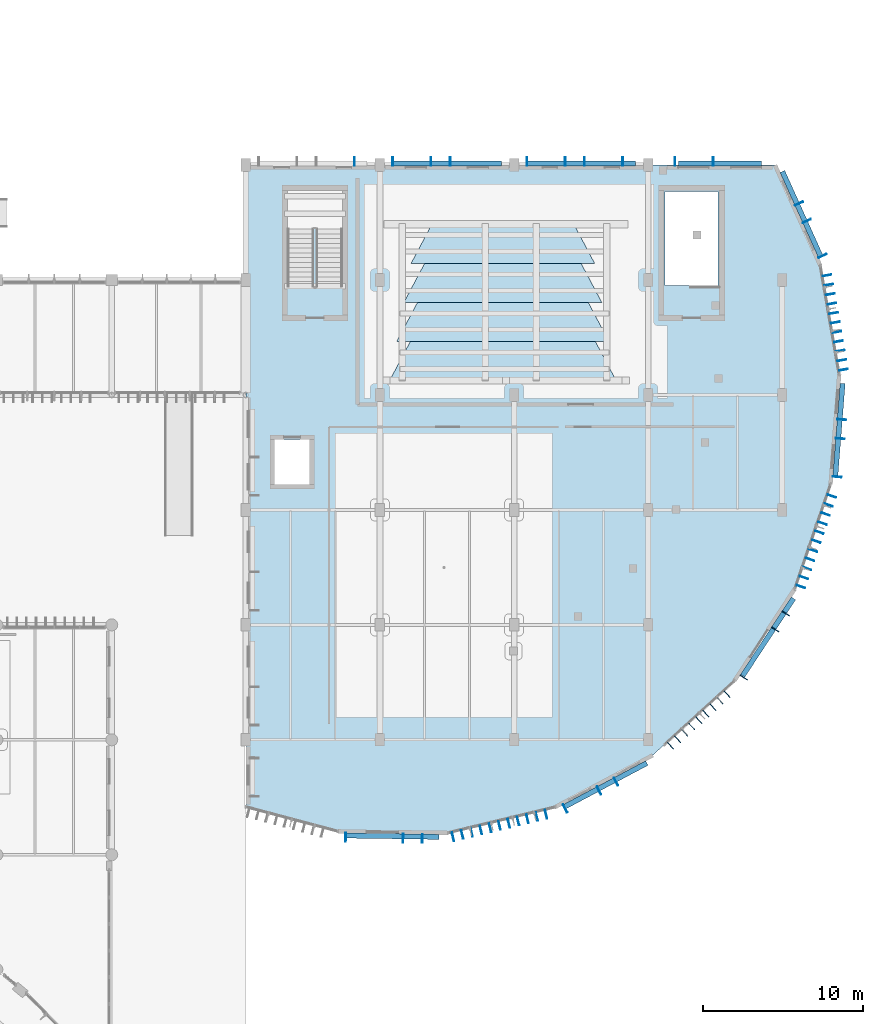
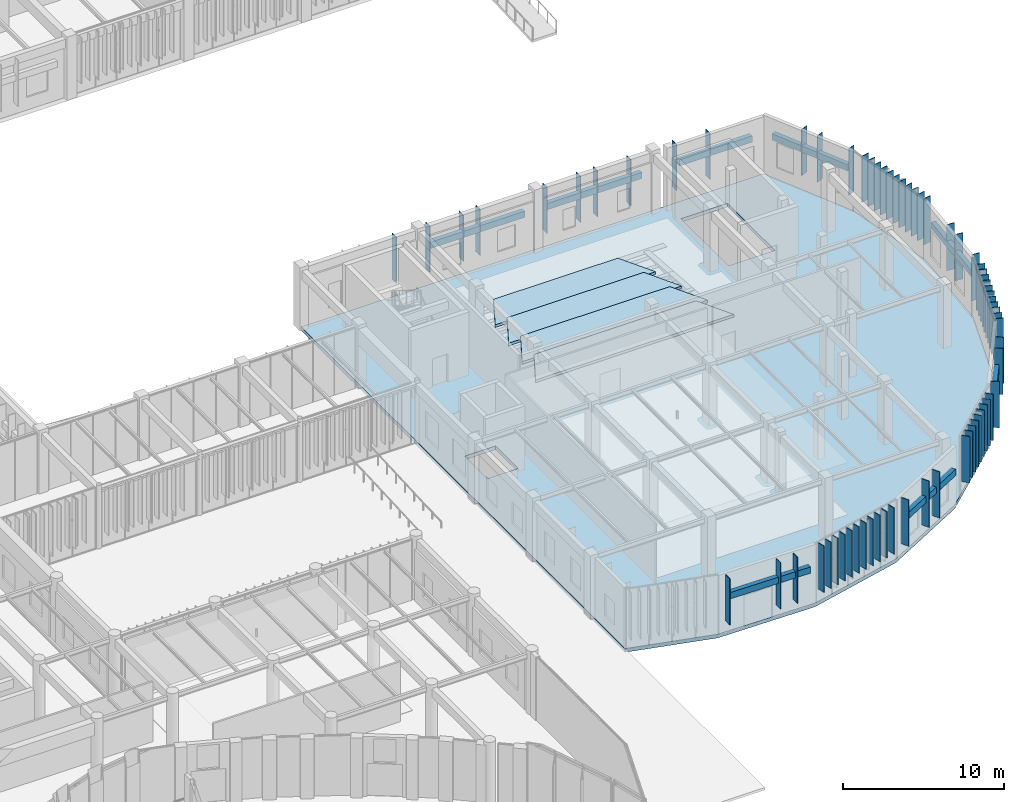
# One storey, part 27 of 122: 75 plates, 5 slabs.
"""IFC4 building model written with IfcOpenShell, lengths in metres."""

from ifc_helpers import new_model, si_unit, direction, frame, origin, origin_2d, place, context, subcontext, project, spatial, polyline, rectangle, outline, extrude, material, layer, layer_set, type_object, element, save


model = new_model("IFC4")

# Units and contexts
model_context = context("Model", 3, precision=1e-05, world=origin(), true_north=direction((0.0, 1.0)))
body_context = subcontext(model_context, "Body", "Model", "MODEL_VIEW")
ifc_project = project(units=[si_unit("LENGTHUNIT", "METRE"), si_unit("AREAUNIT", "SQUARE_METRE"), si_unit("VOLUMEUNIT", "CUBIC_METRE"), si_unit("PLANEANGLEUNIT", "RADIAN"), si_unit("MASSUNIT", "GRAM", prefix="KILO")], contexts=[model_context])

# Site, building, storey
site_placement = place(None, origin())
site = spatial("IfcSite", under=ifc_project, at=site_placement, CompositionType="ELEMENT")
building_placement = place(site_placement, origin())
building = spatial("IfcBuilding", under=site, at=building_placement, Name="Tazoul Stagehouse", CompositionType="ELEMENT")
storey_placement = place(building_placement, origin())
storey = spatial("IfcBuildingStorey", under=building, at=storey_placement, Name="L00", CompositionType="ELEMENT", Elevation=0.0)

# Slab
ifc_material_1 = material(Name="Concrete C35/45", Category="concrete")
ifc_layer_1 = layer(ifc_material_1, 0.280029296875, Name="Concrete C35/45")
ifc_layer_set_1 = layer_set([ifc_layer_1], Name="Concrete C35/45")
slab_type_1 = type_object("IfcSlabType", Name="Acoustic Hall Floor Slab 280", PredefinedType="FLOOR", material=ifc_layer_set_1)
slab_1_placement = place(storey_placement, frame((0.0, 0.0, -0.280029296875)))
element("IfcSlab", 1, at=slab_1_placement, inside=storey, type_object=slab_type_1, Name="L00 Acoustic Hall Floor Slab 280 (V4)", PredefinedType="FLOOR", context=body_context, shape_type="SweptSolid", body=[
    extrude(outline(polyline([(125.39990234375, 18.800048828125), (125.39990234375, 59.0), (158.545654296875, 59.0), (161.384765625, 52.69970703125), (162.56982421875, 45.8916015625), (162.026611328125, 39.002685546875), (159.7890625, 32.464599609375), (155.99755859375, 26.687255859375), (150.8896484375, 22.03271484375), (144.785888671875, 18.793212890625), (138.068603515625, 17.171142578125), (131.15869140625, 17.2685546875), (125.39990234375, 18.800048828125)]), holes=[polyline([(127.199951171875, 39.0), (127.199951171875, 41.800048828125), (129.39990234375, 41.800048828125), (129.39990234375, 39.0), (127.199951171875, 39.0)]), polyline([(151.659912109375, 51.4599609375), (151.659912109375, 57.340087890625), (154.989990234375, 57.340087890625), (154.989990234375, 51.4599609375), (151.659912109375, 51.4599609375)])]), origin(), (0.0, 0.0, 1.0), 0.280029296875),
])

# Plates
ifc_material_2 = material(Name="Anodised Bronze Aluminium 6063-T6", Category="aluminium")
ifc_layer_2 = layer(ifc_material_2, 0.550048828125, Name="Anodised Bronze Aluminium 6063-T6")
ifc_layer_set_2 = layer_set([ifc_layer_2], Name="Anodised Bronze Aluminium 6063-T6")
plate_type_1 = type_object("IfcPlateType", Name="Parametric Terracotta-Bronze Solar Fin 550x3500", PredefinedType="USERDEFINED", material=ifc_layer_set_2)
for number, where, z_axis, x_axis, name in (
    (2, (131.653564453125, 16.88671875, 0.919921875), (0.0, 0.0, 1.0), (0.999900466301, -0.014108773555, 0.0), "L00 Parametric Solar Fin SFN-21 (WALL-V4-DRUM-L00-S02-S1-01)"),
    (3, (135.253173828125, 16.835693359375, 0.919921875), (0.0, 0.0, 1.0), (0.999900466301, -0.014108773555, 0.0), "L00 Parametric Solar Fin SFN-21 (WALL-V4-DRUM-L00-S02-S1-04)"),
    (4, (136.452880859375, 16.81884765625, 0.919921875), (0.0, 0.0, 1.0), (0.999900466301, -0.014108773555, 0.0), "L00 Parametric Solar Fin SFN-21 (WALL-V4-DRUM-L00-S02-S1-05)"),
    (5, (138.375732421875, 16.921142578125, 0.989990234375), (0.0, 0.0, 1.0), (0.972063098492, 0.234719689311, 0.0), "L00 Parametric Solar Fin SFN-21 (CW-V4-DRUM-L00-S03-01)"),
    (6, (138.958984375, 17.06201171875, 0.989990234375), (0.0, 0.0, 1.0), (0.972063098492, 0.234719689311, 0.0), "L00 Parametric Solar Fin SFN-21 (CW-V4-DRUM-L00-S03-02)"),
    (7, (139.542236328125, 17.202880859375, 0.989990234375), (0.0, 0.0, 1.0), (0.972063098492, 0.234719689311, 0.0), "L00 Parametric Solar Fin SFN-21 (CW-V4-DRUM-L00-S03-03)"),
    (8, (140.12548828125, 17.34375, 0.989990234375), (0.0, 0.0, 1.0), (0.972063098492, 0.234719689311, 0.0), "L00 Parametric Solar Fin SFN-21 (CW-V4-DRUM-L00-S03-04)"),
    (9, (140.708740234375, 17.484619140625, 0.989990234375), (0.0, 0.0, 1.0), (0.972063098492, 0.234719689311, 0.0), "L00 Parametric Solar Fin SFN-21 (CW-V4-DRUM-L00-S03-05)"),
    (10, (141.2919921875, 17.62548828125, 0.989990234375), (0.0, 0.0, 1.0), (0.972063098492, 0.234719689311, 0.0), "L00 Parametric Solar Fin SFN-21 (CW-V4-DRUM-L00-S03-06)"),
    (11, (141.875244140625, 17.76611328125, 0.989990234375), (0.0, 0.0, 1.0), (0.972063098492, 0.234719689311, 0.0), "L00 Parametric Solar Fin SFN-21 (CW-V4-DRUM-L00-S03-07)"),
    (12, (142.45849609375, 17.906982421875, 0.989990234375), (0.0, 0.0, 1.0), (0.972063098492, 0.234719689311, 0.0), "L00 Parametric Solar Fin SFN-21 (CW-V4-DRUM-L00-S03-08)"),
    (13, (143.04150390625, 18.0478515625, 0.989990234375), (0.0, 0.0, 1.0), (0.972063098492, 0.234719689311, 0.0), "L00 Parametric Solar Fin SFN-21 (CW-V4-DRUM-L00-S03-09)"),
    (14, (143.625, 18.188720703125, 0.989990234375), (0.0, 0.0, 1.0), (0.972063098492, 0.234719689311, 0.0), "L00 Parametric Solar Fin SFN-21 (CW-V4-DRUM-L00-S03-10)"),
    (15, (144.2080078125, 18.32958984375, 0.989990234375), (0.0, 0.0, 1.0), (0.972063098492, 0.234719689311, 0.0), "L00 Parametric Solar Fin SFN-21 (CW-V4-DRUM-L00-S03-11)"),
    (16, (145.4033203125, 18.6962890625, 0.919921875), (0.0, 0.0, 1.0), (0.883295587463, 0.468816494129, 0.0), "L00 Parametric Solar Fin SFN-21 (WALL-V4-DRUM-L00-S04-S1-01)"),
    (17, (147.523193359375, 19.8212890625, 0.919921875), (0.0, 0.0, 1.0), (0.883295587463, 0.468816494129, 0.0), "L00 Parametric Solar Fin SFN-21 (WALL-V4-DRUM-L00-S04-S1-03)"),
    (18, (148.5830078125, 20.384033203125, 0.919921875), (0.0, 0.0, 1.0), (0.883295587463, 0.468816494129, 0.0), "L00 Parametric Solar Fin SFN-21 (WALL-V4-DRUM-L00-S04-S1-04)"),
    (19, (152.00244140625, 22.62060546875, 0.989990234375), (0.0, 0.0, 1.0), (0.739150483547, 0.673540320005, 0.0), "L00 Parametric Solar Fin SFN-21 (CW-V4-DRUM-L00-S05-01)"),
    (20, (152.446044921875, 23.02490234375, 0.989990234375), (0.0, 0.0, 1.0), (0.739150483547, 0.673540320005, 0.0), "L00 Parametric Solar Fin SFN-21 (CW-V4-DRUM-L00-S05-02)"),
    (21, (152.889404296875, 23.428955078125, 0.989990234375), (0.0, 0.0, 1.0), (0.739150483547, 0.673540320005, 0.0), "L00 Parametric Solar Fin SFN-21 (CW-V4-DRUM-L00-S05-03)"),
    (22, (153.3330078125, 23.8330078125, 0.989990234375), (0.0, 0.0, 1.0), (0.739150483547, 0.673540320005, 0.0), "L00 Parametric Solar Fin SFN-21 (CW-V4-DRUM-L00-S05-04)"),
    (23, (153.7763671875, 24.2373046875, 0.989990234375), (0.0, 0.0, 1.0), (0.739150483547, 0.673540320005, 0.0), "L00 Parametric Solar Fin SFN-21 (CW-V4-DRUM-L00-S05-05)"),
    (24, (154.219970703125, 24.641357421875, 0.989990234375), (0.0, 0.0, 1.0), (0.739150483547, 0.673540320005, 0.0), "L00 Parametric Solar Fin SFN-21 (CW-V4-DRUM-L00-S05-06)"),
    (25, (154.663330078125, 25.04541015625, 0.989990234375), (0.0, 0.0, 1.0), (0.739150483547, 0.673540320005, 0.0), "L00 Parametric Solar Fin SFN-21 (CW-V4-DRUM-L00-S05-07)"),
    (26, (155.10693359375, 25.44970703125, 0.989990234375), (0.0, 0.0, 1.0), (0.739150483547, 0.673540320005, 0.0), "L00 Parametric Solar Fin SFN-21 (CW-V4-DRUM-L00-S05-08)"),
    (27, (155.55029296875, 25.853759765625, 0.989990234375), (0.0, 0.0, 1.0), (0.739150483547, 0.673540320005, 0.0), "L00 Parametric Solar Fin SFN-21 (CW-V4-DRUM-L00-S05-09)"),
    (28, (156.585205078125, 26.899658203125, 0.919921875), (0.0, 0.0, 1.0), (0.548671208513, 0.83603821979, 0.0), "L00 Parametric Solar Fin SFN-21 (WALL-V4-DRUM-L00-S06-S1-01)"),
    (29, (158.560546875, 29.9091796875, 0.919921875), (0.0, 0.0, 1.0), (0.548671208513, 0.83603821979, 0.0), "L00 Parametric Solar Fin SFN-21 (WALL-V4-DRUM-L00-S06-S1-04)"),
    (30, (159.218994140625, 30.91259765625, 0.919921875), (0.0, 0.0, 1.0), (0.548671208513, 0.83603821979, 0.0), "L00 Parametric Solar Fin SFN-21 (WALL-V4-DRUM-L00-S06-S1-05)"),
    (31, (160.164794921875, 32.589599609375, 0.989990234375), (0.0, 0.0, 1.0), (0.323785316605, 0.946130577009, 0.0), "L00 Parametric Solar Fin SFN-21 (CW-V4-DRUM-L00-S07-01)"),
    (32, (160.35888671875, 33.157470703125, 0.989990234375), (0.0, 0.0, 1.0), (0.323785316605, 0.946130577009, 0.0), "L00 Parametric Solar Fin SFN-21 (CW-V4-DRUM-L00-S07-02)"),
    (33, (160.55322265625, 33.72509765625, 0.989990234375), (0.0, 0.0, 1.0), (0.323785316605, 0.946130577009, 0.0), "L00 Parametric Solar Fin SFN-21 (CW-V4-DRUM-L00-S07-03)"),
    (34, (160.74755859375, 34.292724609375, 0.989990234375), (0.0, 0.0, 1.0), (0.323785316605, 0.946130577009, 0.0), "L00 Parametric Solar Fin SFN-21 (CW-V4-DRUM-L00-S07-04)"),
    (35, (160.94189453125, 34.8603515625, 0.989990234375), (0.0, 0.0, 1.0), (0.323785316605, 0.946130577009, 0.0), "L00 Parametric Solar Fin SFN-21 (CW-V4-DRUM-L00-S07-05)"),
    (36, (161.135986328125, 35.427978515625, 0.989990234375), (0.0, 0.0, 1.0), (0.323785316605, 0.946130577009, 0.0), "L00 Parametric Solar Fin SFN-21 (CW-V4-DRUM-L00-S07-06)"),
    (37, (161.330322265625, 35.995849609375, 0.989990234375), (0.0, 0.0, 1.0), (0.323785316605, 0.946130577009, 0.0), "L00 Parametric Solar Fin SFN-21 (CW-V4-DRUM-L00-S07-07)"),
    (38, (161.524658203125, 36.5634765625, 0.989990234375), (0.0, 0.0, 1.0), (0.323785316605, 0.946130577009, 0.0), "L00 Parametric Solar Fin SFN-21 (CW-V4-DRUM-L00-S07-08)"),
    (39, (161.718994140625, 37.131103515625, 0.989990234375), (0.0, 0.0, 1.0), (0.323785316605, 0.946130577009, 0.0), "L00 Parametric Solar Fin SFN-21 (CW-V4-DRUM-L00-S07-09)"),
    (40, (161.9130859375, 37.69873046875, 0.989990234375), (0.0, 0.0, 1.0), (0.323785316605, 0.946130577009, 0.0), "L00 Parametric Solar Fin SFN-21 (CW-V4-DRUM-L00-S07-10)"),
    (41, (162.107421875, 38.2666015625, 0.989990234375), (0.0, 0.0, 1.0), (0.323785316605, 0.946130577009, 0.0), "L00 Parametric Solar Fin SFN-21 (CW-V4-DRUM-L00-S07-11)"),
    (42, (162.439697265625, 39.4716796875, 0.919921875), (0.0, 0.0, 1.0), (0.078622649876, 0.996904448243, 0.0), "L00 Parametric Solar Fin SFN-21 (WALL-V4-DRUM-L00-S08-S1-01)"),
    (43, (162.62841796875, 41.8642578125, 0.919921875), (0.0, 0.0, 1.0), (0.078622649876, 0.996904448243, 0.0), "L00 Parametric Solar Fin SFN-21 (WALL-V4-DRUM-L00-S08-S1-03)"),
    (44, (162.72265625, 43.060546875, 0.919921875), (0.0, 0.0, 1.0), (0.078622649876, 0.996904448243, 0.0), "L00 Parametric Solar Fin SFN-21 (WALL-V4-DRUM-L00-S08-S1-04)"),
    (45, (162.839111328125, 46.18212890625, 0.989990234375), (0.0, 0.0, 1.0), (-0.171495809953, 0.985184849238, 0.0), "L00 Parametric Solar Fin SFN-21 (CW-V4-DRUM-L00-S09-01)"),
    (46, (162.736083984375, 46.773193359375, 0.989990234375), (0.0, 0.0, 1.0), (-0.171495809953, 0.985184849238, 0.0), "L00 Parametric Solar Fin SFN-21 (CW-V4-DRUM-L00-S09-02)"),
    (47, (162.63330078125, 47.364501953125, 0.989990234375), (0.0, 0.0, 1.0), (-0.171495809953, 0.985184849238, 0.0), "L00 Parametric Solar Fin SFN-21 (CW-V4-DRUM-L00-S09-03)"),
    (48, (162.5302734375, 47.95556640625, 0.989990234375), (0.0, 0.0, 1.0), (-0.171495809953, 0.985184849238, 0.0), "L00 Parametric Solar Fin SFN-21 (CW-V4-DRUM-L00-S09-04)"),
    (49, (162.427490234375, 48.546630859375, 0.989990234375), (0.0, 0.0, 1.0), (-0.171495809953, 0.985184849238, 0.0), "L00 Parametric Solar Fin SFN-21 (CW-V4-DRUM-L00-S09-05)"),
    (50, (162.324462890625, 49.1376953125, 0.989990234375), (0.0, 0.0, 1.0), (-0.171495809953, 0.985184849238, 0.0), "L00 Parametric Solar Fin SFN-21 (CW-V4-DRUM-L00-S09-06)"),
    (51, (162.2216796875, 49.728759765625, 0.989990234375), (0.0, 0.0, 1.0), (-0.171495809953, 0.985184849238, 0.0), "L00 Parametric Solar Fin SFN-21 (CW-V4-DRUM-L00-S09-07)"),
    (52, (162.11865234375, 50.31982421875, 0.989990234375), (0.0, 0.0, 1.0), (-0.171495809953, 0.985184849238, 0.0), "L00 Parametric Solar Fin SFN-21 (CW-V4-DRUM-L00-S09-08)"),
    (53, (162.015869140625, 50.9111328125, 0.989990234375), (0.0, 0.0, 1.0), (-0.171495809953, 0.985184849238, 0.0), "L00 Parametric Solar Fin SFN-21 (CW-V4-DRUM-L00-S09-09)"),
    (54, (161.912841796875, 51.502197265625, 0.989990234375), (0.0, 0.0, 1.0), (-0.171495809953, 0.985184849238, 0.0), "L00 Parametric Solar Fin SFN-21 (CW-V4-DRUM-L00-S09-10)"),
    (55, (161.81005859375, 52.09326171875, 0.989990234375), (0.0, 0.0, 1.0), (-0.171495809953, 0.985184849238, 0.0), "L00 Parametric Solar Fin SFN-21 (CW-V4-DRUM-L00-S09-11)"),
    (56, (161.521240234375, 53.3095703125, 0.919921875), (0.0, 0.0, 1.0), (-0.410830242296, 0.911711857999, 0.0), "L00 Parametric Solar Fin SFN-21 (WALL-V4-DRUM-L00-S10-S1-01)"),
    (57, (160.53515625, 55.497802734375, 0.919921875), (0.0, 0.0, 1.0), (-0.410830242296, 0.911711857999, 0.0), "L00 Parametric Solar Fin SFN-21 (WALL-V4-DRUM-L00-S10-S1-03)"),
    (58, (160.042236328125, 56.591796875, 0.919921875), (0.0, 0.0, 1.0), (-0.410830242296, 0.911711857999, 0.0), "L00 Parametric Solar Fin SFN-21 (WALL-V4-DRUM-L00-S10-S1-04)"),
    (59, (132.205078125, 59.22509765625, 0.919921875), (0.0, 0.0, 1.0), (1.0, 0.0, 0.0), "L00 Parametric Solar Fin SFN-21 (WALL-V4-N-L00-S1-06)"),
    (60, (134.60498046875, 59.22509765625, 0.919921875), (0.0, 0.0, 1.0), (1.0, 0.0, 0.0), "L00 Parametric Solar Fin SFN-21 (WALL-V4-N-L00-S2-01)"),
    (61, (137.0048828125, 59.22509765625, 0.919921875), (0.0, 0.0, 1.0), (1.0, 0.0, 0.0), "L00 Parametric Solar Fin SFN-21 (WALL-V4-N-L00-S2-03)"),
    (62, (138.205078125, 59.22509765625, 0.919921875), (0.0, 0.0, 1.0), (1.0, 0.0, 0.0), "L00 Parametric Solar Fin SFN-21 (WALL-V4-N-L00-S2-04)"),
    (63, (143.0048828125, 59.22509765625, 0.919921875), (0.0, 0.0, 1.0), (1.0, 0.0, 0.0), "L00 Parametric Solar Fin SFN-21 (WALL-V4-N-L00-S3-01)"),
    (64, (145.405029296875, 59.22509765625, 0.919921875), (0.0, 0.0, 1.0), (1.0, 0.0, 0.0), "L00 Parametric Solar Fin SFN-21 (WALL-V4-N-L00-S3-03)"),
    (65, (146.60498046875, 59.22509765625, 0.919921875), (0.0, 0.0, 1.0), (1.0, 0.0, 0.0), "L00 Parametric Solar Fin SFN-21 (WALL-V4-N-L00-S3-04)"),
    (66, (149.0048828125, 59.22509765625, 0.919921875), (0.0, 0.0, 1.0), (1.0, 0.0, 0.0), "L00 Parametric Solar Fin SFN-21 (WALL-V4-N-L00-S3-06)"),
    (67, (152.283203125, 59.22509765625, 0.919921875), (0.0, 0.0, 1.0), (1.0, 0.0, 0.0), "L00 Parametric Solar Fin SFN-21 (WALL-V4-N-L00-S4-01)"),
    (68, (154.68310546875, 59.22509765625, 0.919921875), (0.0, 0.0, 1.0), (1.0, 0.0, 0.0), "L00 Parametric Solar Fin SFN-21 (WALL-V4-N-L00-S4-03)"),
):
    element("IfcPlate", number, at=place(storey_placement, frame(where, z_axis=z_axis, x_axis=x_axis)), inside=storey, type_object=plate_type_1, Name=name, ObjectType="SOLAR FIN", PredefinedType="USERDEFINED", context=body_context, shape_type="SweptSolid", body=[
        extrude(rectangle(XDim=0.044921875, YDim=0.550048828125, at=origin_2d()), origin(), (0.0, 0.0, 1.0), 3.5),
    ])
ifc_layer_3 = layer(ifc_material_2, 0.320068359375, Name="Anodised Bronze Aluminium 6063-T6")
ifc_layer_set_3 = layer_set([ifc_layer_3], Name="Anodised Bronze Aluminium 6063-T6")
plate_type_2 = type_object("IfcPlateType", Name="Sculpted Facade Spandrel Ribbon 5200x480", PredefinedType="USERDEFINED", material=ifc_layer_set_3)
plate_placement = place(storey_placement, frame((155.091552734375, 59.110107421875, 2.7109375), z_axis=(0.0, 0.0, 1.0), x_axis=(1.0, 0.0, 0.0)))
element("IfcPlate", 69, at=plate_placement, inside=storey, type_object=plate_type_2, Name="L00 Sculpted Facade Spandrel Ribbon FRB-07 (WALL-V4-N-L00-S4)", ObjectType="FACADE RIBBON", PredefinedType="USERDEFINED", context=body_context, shape_type="SweptSolid", body=[
    extrude(rectangle(XDim=5.199951171875, YDim=0.320068359375, at=origin_2d()), origin(), (0.0, 0.0, 1.0), 0.47998046875),
])
ifc_layer_4 = layer(ifc_material_2, 0.320068359375, Name="Anodised Bronze Aluminium 6063-T6")
ifc_layer_set_4 = layer_set([ifc_layer_4], Name="Anodised Bronze Aluminium 6063-T6")
plate_type_3 = type_object("IfcPlateType", Name="Sculpted Facade Spandrel Ribbon 5800x480", PredefinedType="USERDEFINED", material=ifc_layer_set_4)
for number, where, z_axis, x_axis, name in (
    (70, (134.610107421875, 16.9599609375, 2.7109375), (0.0, 0.0, 1.0), (0.999900466301, -0.014108773555, 0.0), "L00 Sculpted Facade Spandrel Ribbon FRB-08 (WALL-V4-DRUM-L00-S02-S1)"),
    (71, (147.959716796875, 20.183349609375, 2.7109375), (0.0, 0.0, 1.0), (0.883295587463, 0.468816494129, 0.0), "L00 Sculpted Facade Spandrel Ribbon FRB-08 (WALL-V4-DRUM-L00-S04-S1)"),
    (72, (158.110595703125, 29.433349609375, 2.7109375), (0.0, 0.0, 1.0), (0.548671208513, 0.83603821979, 0.0), "L00 Sculpted Facade Spandrel Ribbon FRB-08 (WALL-V4-DRUM-L00-S06-S1)"),
    (73, (162.557373046875, 42.4267578125, 2.7109375), (0.0, 0.0, 1.0), (0.078622649876, 0.996904448243, 0.0), "L00 Sculpted Facade Spandrel Ribbon FRB-08 (WALL-V4-DRUM-L00-S08-S1)"),
    (74, (160.2021484375, 55.956787109375, 2.7109375), (0.0, 0.0, 1.0), (-0.410830242296, 0.911711857999, 0.0), "L00 Sculpted Facade Spandrel Ribbon FRB-08 (WALL-V4-DRUM-L00-S10-S1)"),
):
    element("IfcPlate", number, at=place(storey_placement, frame(where, z_axis=z_axis, x_axis=x_axis)), inside=storey, type_object=plate_type_3, Name=name, ObjectType="FACADE RIBBON", PredefinedType="USERDEFINED", context=body_context, shape_type="SweptSolid", body=[
        extrude(rectangle(XDim=5.800048828125, YDim=0.320068359375, at=origin_2d()), origin(), (0.0, 0.0, 1.0), 0.47998046875),
    ])
ifc_layer_5 = layer(ifc_material_2, 0.320068359375, Name="Anodised Bronze Aluminium 6063-T6")
ifc_layer_set_5 = layer_set([ifc_layer_5], Name="Anodised Bronze Aluminium 6063-T6")
plate_type_4 = type_object("IfcPlateType", Name="Sculpted Facade Spandrel Ribbon 6800x480", PredefinedType="USERDEFINED", material=ifc_layer_set_5)
for number, where, z_axis, x_axis, name in (
    (75, (138.0, 59.110107421875, 2.7109375), (0.0, 0.0, 1.0), (1.0, 0.0, 0.0), "L00 Sculpted Facade Spandrel Ribbon FRB-10 (WALL-V4-N-L00-S2)"),
    (76, (146.39990234375, 59.110107421875, 2.7109375), (0.0, 0.0, 1.0), (1.0, 0.0, 0.0), "L00 Sculpted Facade Spandrel Ribbon FRB-10 (WALL-V4-N-L00-S3)"),
):
    element("IfcPlate", number, at=place(storey_placement, frame(where, z_axis=z_axis, x_axis=x_axis)), inside=storey, type_object=plate_type_4, Name=name, ObjectType="FACADE RIBBON", PredefinedType="USERDEFINED", context=body_context, shape_type="SweptSolid", body=[
        extrude(rectangle(XDim=6.800048828125, YDim=0.320068359375, at=origin_2d()), origin(), (0.0, 0.0, 1.0), 0.47998046875),
    ])

# Slabs
ifc_material_3 = material(Name="Concrete C40/50", Category="concrete")
ifc_layer_6 = layer(ifc_material_3, 0.199951171875, Name="Concrete C40/50")
ifc_layer_set_6 = layer_set([ifc_layer_6], Name="Concrete C40/50")
slab_type_2 = type_object("IfcSlabType", Name="Stepped Stalls Seating Tier 200", PredefinedType="USERDEFINED", material=ifc_layer_set_6)
slab_2_placement = place(storey_placement, frame((0.0, 0.0, 0.050048828125)))
element("IfcSlab", 77, at=slab_2_placement, inside=storey, type_object=slab_type_2, Name="Stand V4-STUDIO Seating Tier Row 1", ObjectType="SEATING TIER", PredefinedType="USERDEFINED", context=body_context, shape_type="SweptSolid", body=[
    extrude(outline(polyline([(135.75, 52.85009765625), (147.25, 52.85009765625), (145.949951171875, 55.300048828125), (137.050048828125, 55.300048828125), (135.75, 52.85009765625)])), origin(), (0.0, 0.0, 1.0), 0.199951171875),
])
slab_3_placement = place(storey_placement, frame((0.0, 0.0, 0.300048828125)))
element("IfcSlab", 78, at=slab_3_placement, inside=storey, type_object=slab_type_2, Name="Stand V4-STUDIO Seating Tier Row 2", ObjectType="SEATING TIER", PredefinedType="USERDEFINED", context=body_context, shape_type="SweptSolid", body=[
    extrude(outline(polyline([(135.300048828125, 50.39990234375), (147.699951171875, 50.39990234375), (146.39990234375, 52.85009765625), (136.60009765625, 52.85009765625), (135.300048828125, 50.39990234375)])), origin(), (0.0, 0.0, 1.0), 0.199951171875),
])
slab_4_placement = place(storey_placement, frame((0.0, 0.0, 0.550048828125)))
element("IfcSlab", 79, at=slab_4_placement, inside=storey, type_object=slab_type_2, Name="Stand V4-STUDIO Seating Tier Row 3", ObjectType="SEATING TIER", PredefinedType="USERDEFINED", context=body_context, shape_type="SweptSolid", body=[
    extrude(outline(polyline([(134.85009765625, 47.949951171875), (148.14990234375, 47.949951171875), (146.85009765625, 50.39990234375), (136.14990234375, 50.39990234375), (134.85009765625, 47.949951171875)])), origin(), (0.0, 0.0, 1.0), 0.199951171875),
])
slab_5_placement = place(storey_placement, frame((0.0, 0.0, 0.800048828125)))
element("IfcSlab", 80, at=slab_5_placement, inside=storey, type_object=slab_type_2, Name="Stand V4-STUDIO Seating Tier Row 4", ObjectType="SEATING TIER", PredefinedType="USERDEFINED", context=body_context, shape_type="SweptSolid", body=[
    extrude(outline(polyline([(134.39990234375, 45.5), (148.60009765625, 45.5), (147.300048828125, 47.949951171875), (135.699951171875, 47.949951171875), (134.39990234375, 45.5)])), origin(), (0.0, 0.0, 1.0), 0.199951171875),
])

save(model, "model.ifc")
